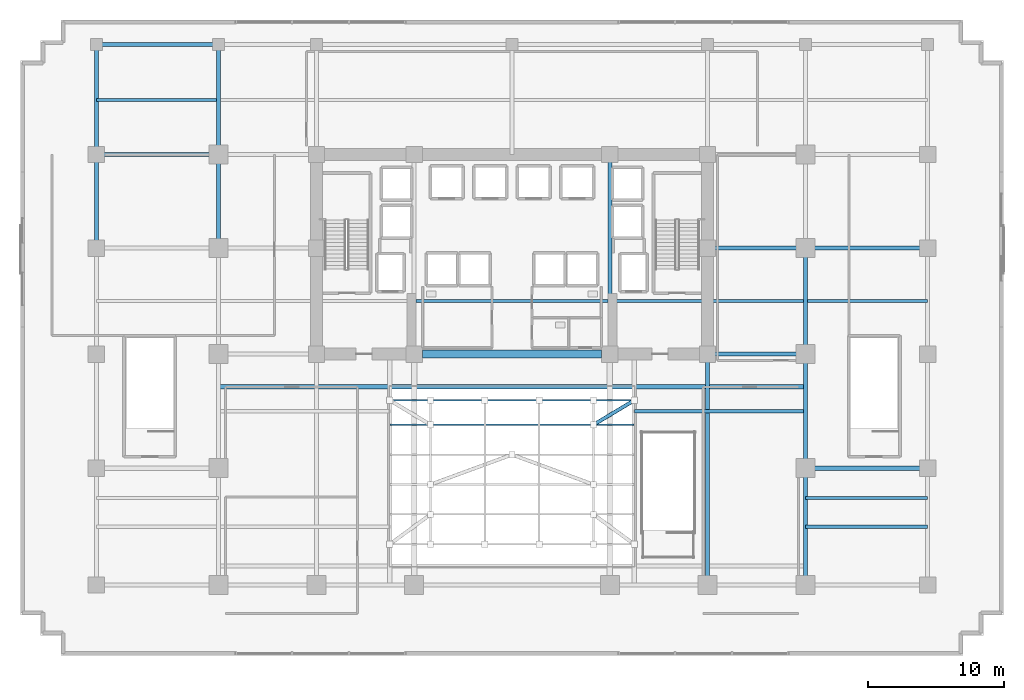
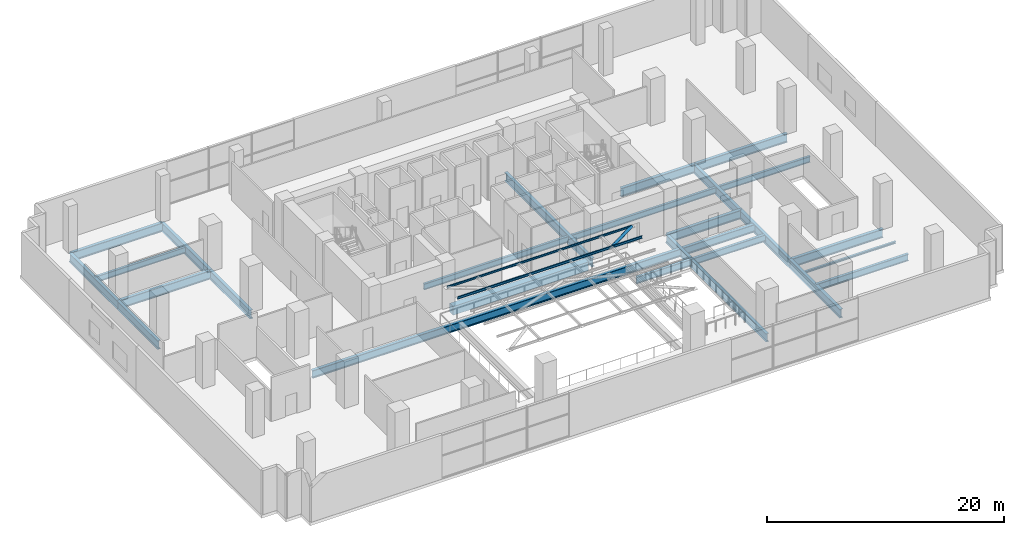
# One storey, part 8 of 22: 24 beams, 3 members.
"""IFC4 building model written with IfcOpenShell, lengths in metres."""

from ifc_helpers import new_model, si_unit, direction, frame, origin, origin_2d, place, context, subcontext, project, spatial, rectangle, hollow_circle, i_section, extrude, source, transform, mapped, material, material_profile, profile_set, type_object, element, save


model = new_model("IFC4")

# Units and contexts
model_context = context("Model", 3, precision=1e-05, world=origin(), true_north=direction((0.0, 1.0)))
body_context = subcontext(model_context, "Body", "Model", "MODEL_VIEW")
ifc_project = project(units=[si_unit("LENGTHUNIT", "METRE"), si_unit("AREAUNIT", "SQUARE_METRE"), si_unit("VOLUMEUNIT", "CUBIC_METRE"), si_unit("PLANEANGLEUNIT", "RADIAN"), si_unit("MASSUNIT", "GRAM", prefix="KILO")], contexts=[model_context])

# Site, building, storey
site_placement = place(None, origin())
site = spatial("IfcSite", under=ifc_project, at=site_placement, CompositionType="ELEMENT")
building_placement = place(site_placement, origin())
building = spatial("IfcBuilding", under=site, at=building_placement, Name="Zarnakvel Exchange Tower", CompositionType="ELEMENT")
storey_placement = place(building_placement, frame((0.0, 0.0, 22.60009765625)))
storey = spatial("IfcBuildingStorey", under=building, at=storey_placement, Name="L05", CompositionType="ELEMENT", Elevation=22.60009765625)

# Beams
ifc_material_1 = material(Name="Steel S355", Category="steel")
ifc_material_profile_1 = material_profile(ifc_material_1, i_section(OverallWidth=0.255859375, OverallDepth=0.69287109375, WebThickness=0.014404296875, FlangeThickness=0.023681640625, FilletRadius=0.01513671875, at=origin_2d()))
ifc_profile_set_1 = profile_set([ifc_material_profile_1], Name="Steel S355")
beam_type_1 = type_object("IfcBeamType", Name="B-01", PredefinedType="JOIST", material=ifc_profile_set_1)
beam_1_placement = place(storey_placement, frame((21.60009765625, -13.89990234375, -0.646484375), z_axis=(1.0, 0.0, 0.0), x_axis=(0.0, 1.0, 0.0)))
element("IfcBeam", 1, at=beam_1_placement, inside=storey, type_object=beam_type_1, Name="L05 Podium Wing Secondary Joist East", PredefinedType="JOIST", context=body_context, shape_type="SweptSolid", body=[
    extrude(i_section(OverallWidth=0.255859375, OverallDepth=0.69287109375, WebThickness=0.014404296875, FlangeThickness=0.023681640625, FilletRadius=0.01513671875, at=origin_2d()), origin(), (0.0, 0.0, 1.0), 9.0),
])
beam_2_placement = place(storey_placement, frame((9.0, -5.39990234375, -0.646484375), z_axis=(1.0, 0.0, 0.0), x_axis=(0.0, 1.0, 0.0)))
element("IfcBeam", 2, at=beam_2_placement, inside=storey, type_object=beam_type_1, Name="L05 Exchange Hall Atrium Trimmer East", PredefinedType="JOIST", context=body_context, shape_type="SweptSolid", body=[
    extrude(i_section(OverallWidth=0.255859375, OverallDepth=0.69287109375, WebThickness=0.014404296875, FlangeThickness=0.023681640625, FilletRadius=0.01513671875, at=origin_2d()), origin(), (0.0, 0.0, 1.0), 12.60009765625),
])
ifc_material_profile_2 = material_profile(ifc_material_1, i_section(OverallWidth=0.230224609375, OverallDepth=0.6171875, WebThickness=0.01318359375, FlangeThickness=0.022216796875, FilletRadius=0.0126953125, at=origin_2d()))
ifc_profile_set_2 = profile_set([ifc_material_profile_2], Name="Steel S355")
beam_type_2 = type_object("IfcBeamType", Name="B-02", PredefinedType="JOIST", material=ifc_profile_set_2)
beam_3_placement = place(storey_placement, frame((-7.050048828125, 2.699951171875, -0.608642578125), z_axis=(1.0, 0.0, 0.0), x_axis=(0.0, 1.0, 0.0)))
element("IfcBeam", 3, at=beam_3_placement, inside=storey, type_object=beam_type_2, Name="L05 Secondary Floor Joist", PredefinedType="JOIST", context=body_context, shape_type="SweptSolid", body=[
    extrude(i_section(OverallWidth=0.230224609375, OverallDepth=0.6171875, WebThickness=0.01318359375, FlangeThickness=0.022216796875, FilletRadius=0.0126953125, at=origin_2d()), origin(), (0.0, 0.0, 1.0), 14.10009765625),
])
beam_4_placement = place(storey_placement, frame((7.35009765625, 2.699951171875, -0.608642578125), z_axis=(1.0, 0.0, 0.0), x_axis=(0.0, 1.0, 0.0)))
element("IfcBeam", 4, at=beam_4_placement, inside=storey, type_object=beam_type_2, Name="L05 Secondary Floor Joist", PredefinedType="JOIST", context=body_context, shape_type="SweptSolid", body=[
    extrude(i_section(OverallWidth=0.230224609375, OverallDepth=0.6171875, WebThickness=0.01318359375, FlangeThickness=0.022216796875, FilletRadius=0.0126953125, at=origin_2d()), origin(), (0.0, 0.0, 1.0), 14.099853515625),
])
for number, where, z_axis, x_axis, name in (
    (5, (21.75, 2.699951171875, -0.608642578125), (1.0, 0.0, 0.0), (0.0, 1.0, 0.0), "L05 Secondary Floor Joist"),
    (6, (-30.60009765625, 17.5, -0.608642578125), (1.0, 0.0, 0.0), (0.0, 1.0, 0.0), "L05 North Bay Secondary Floor Joist"),
):
    element("IfcBeam", number, at=place(storey_placement, frame(where, z_axis=z_axis, x_axis=x_axis)), inside=storey, type_object=beam_type_2, Name=name, PredefinedType="JOIST", context=body_context, shape_type="SweptSolid", body=[
        extrude(i_section(OverallWidth=0.230224609375, OverallDepth=0.6171875, WebThickness=0.01318359375, FlangeThickness=0.022216796875, FilletRadius=0.0126953125, at=origin_2d()), origin(), (0.0, 0.0, 1.0), 8.85009765625),
    ])
ifc_material_2 = material(Name="Concrete C80/95", Category="concrete")
ifc_material_profile_3 = material_profile(ifc_material_2, rectangle(XDim=0.60009765625, YDim=0.89990234375, at=origin_2d()))
ifc_profile_set_3 = profile_set([ifc_material_profile_3], Name="Concrete C80/95")
beam_type_3 = type_object("IfcBeamType", Name="CB-01", PredefinedType="LINTEL", material=ifc_profile_set_3)
beam_5_placement = place(storey_placement, frame((-6.60009765625, -1.199951171875, -0.75), z_axis=(1.0, 0.0, 0.0), x_axis=(0.0, 1.0, 0.0)))
element("IfcBeam", 7, at=beam_5_placement, inside=storey, type_object=beam_type_3, Name="L05 Rear Core South Coupling Beam (CB-01)", PredefinedType="LINTEL", context=body_context, shape_type="SweptSolid", body=[
    extrude(rectangle(XDim=0.60009765625, YDim=0.89990234375, at=origin_2d()), origin(), (0.0, 0.0, 1.0), 13.2001953125),
])
ifc_material_profile_4 = material_profile(ifc_material_1, i_section(OverallWidth=0.300048828125, OverallDepth=0.89990234375, WebThickness=0.0185546875, FlangeThickness=0.034912109375, FilletRadius=0.030029296875, at=origin_2d()))
ifc_profile_set_4 = profile_set([ifc_material_profile_4], Name="Steel S355")
beam_type_4 = type_object("IfcBeamType", Name="G-01", PredefinedType="BEAM", material=ifc_profile_set_4)
beam_6_placement = place(storey_placement, frame((21.60009765625, -9.60009765625, -0.75), z_axis=(1.0, 0.0, 0.0), x_axis=(0.0, 1.0, 0.0)))
element("IfcBeam", 8, at=beam_6_placement, inside=storey, type_object=beam_type_4, Name="L05 Primary E-W Girder Y=-9.6", PredefinedType="BEAM", context=body_context, shape_type="SweptSolid", body=[
    extrude(i_section(OverallWidth=0.300048828125, OverallDepth=0.89990234375, WebThickness=0.0185546875, FlangeThickness=0.034912109375, FilletRadius=0.030029296875, at=origin_2d()), origin(), (0.0, 0.0, 1.0), 9.0),
])
for number, where, z_axis, x_axis, name in (
    (9, (14.39990234375, -1.199951171875, -0.75), (1.0, 0.0, 0.0), (0.0, 1.0, 0.0), "L05 Primary E-W Girder Y=-1.2"),
    (10, (14.39990234375, 6.60009765625, -0.75), (1.0, 0.0, 0.0), (0.0, 1.0, 0.0), "L05 Primary E-W Girder Y=+6.6"),
):
    element("IfcBeam", number, at=place(storey_placement, frame(where, z_axis=z_axis, x_axis=x_axis)), inside=storey, type_object=beam_type_4, Name=name, PredefinedType="BEAM", context=body_context, shape_type="SweptSolid", body=[
        extrude(i_section(OverallWidth=0.300048828125, OverallDepth=0.89990234375, WebThickness=0.0185546875, FlangeThickness=0.034912109375, FilletRadius=0.030029296875, at=origin_2d()), origin(), (0.0, 0.0, 1.0), 7.2001953125),
    ])
for number, where, z_axis, x_axis, name in (
    (11, (21.60009765625, 6.60009765625, -0.75), (1.0, 0.0, 0.0), (0.0, 1.0, 0.0), "L05 Primary E-W Girder Y=+6.6"),
    (12, (-30.60009765625, 13.5, -0.75), (1.0, 0.0, 0.0), (0.0, 1.0, 0.0), "L05 Primary E-W Girder Y=+13.5"),
    (13, (-30.60009765625, 21.60009765625, -0.75), (1.0, 0.0, 0.0), (0.0, 1.0, 0.0), "L05 Primary E-W Girder Y=+21.6"),
):
    element("IfcBeam", number, at=place(storey_placement, frame(where, z_axis=z_axis, x_axis=x_axis)), inside=storey, type_object=beam_type_4, Name=name, PredefinedType="BEAM", context=body_context, shape_type="SweptSolid", body=[
        extrude(i_section(OverallWidth=0.300048828125, OverallDepth=0.89990234375, WebThickness=0.0185546875, FlangeThickness=0.034912109375, FilletRadius=0.030029296875, at=origin_2d()), origin(), (0.0, 0.0, 1.0), 9.0),
    ])
beam_7_placement = place(storey_placement, frame((-30.60009765625, 6.60009765625, -0.75), z_axis=(0.0, 1.0, 0.0), x_axis=(-1.0, 0.0, 0.0)))
element("IfcBeam", 14, at=beam_7_placement, inside=storey, type_object=beam_type_4, Name="L05 Primary N-S Girder X=-30.6", PredefinedType="BEAM", context=body_context, shape_type="SweptSolid", body=[
    extrude(i_section(OverallWidth=0.300048828125, OverallDepth=0.89990234375, WebThickness=0.0185546875, FlangeThickness=0.034912109375, FilletRadius=0.030029296875, at=origin_2d()), origin(), (0.0, 0.0, 1.0), 6.89990234375),
])
beam_8_placement = place(storey_placement, frame((-30.60009765625, 13.5, -0.75), z_axis=(0.0, 1.0, 0.0), x_axis=(-1.0, 0.0, 0.0)))
element("IfcBeam", 15, at=beam_8_placement, inside=storey, type_object=beam_type_4, Name="L05 Primary N-S Girder X=-30.6", PredefinedType="BEAM", context=body_context, shape_type="SweptSolid", body=[
    extrude(i_section(OverallWidth=0.300048828125, OverallDepth=0.89990234375, WebThickness=0.0185546875, FlangeThickness=0.034912109375, FilletRadius=0.030029296875, at=origin_2d()), origin(), (0.0, 0.0, 1.0), 8.10009765625),
])
beam_9_placement = place(storey_placement, frame((-21.60009765625, 6.60009765625, -0.75), z_axis=(0.0, 1.0, 0.0), x_axis=(-1.0, 0.0, 0.0)))
element("IfcBeam", 16, at=beam_9_placement, inside=storey, type_object=beam_type_4, Name="L05 Primary N-S Girder X=-21.6", PredefinedType="BEAM", context=body_context, shape_type="SweptSolid", body=[
    extrude(i_section(OverallWidth=0.300048828125, OverallDepth=0.89990234375, WebThickness=0.0185546875, FlangeThickness=0.034912109375, FilletRadius=0.030029296875, at=origin_2d()), origin(), (0.0, 0.0, 1.0), 6.89990234375),
])
beam_10_placement = place(storey_placement, frame((-21.60009765625, 13.5, -0.75), z_axis=(0.0, 1.0, 0.0), x_axis=(-1.0, 0.0, 0.0)))
element("IfcBeam", 17, at=beam_10_placement, inside=storey, type_object=beam_type_4, Name="L05 Primary N-S Girder X=-21.6", PredefinedType="BEAM", context=body_context, shape_type="SweptSolid", body=[
    extrude(i_section(OverallWidth=0.300048828125, OverallDepth=0.89990234375, WebThickness=0.0185546875, FlangeThickness=0.034912109375, FilletRadius=0.030029296875, at=origin_2d()), origin(), (0.0, 0.0, 1.0), 8.10009765625),
])
beam_11_placement = place(storey_placement, frame((7.199951171875, -1.199951171875, -0.75), z_axis=(0.0, 1.0, 0.0), x_axis=(-1.0, 0.0, 0.0)))
element("IfcBeam", 18, at=beam_11_placement, inside=storey, type_object=beam_type_4, Name="L05 Primary N-S Girder X=+7.2", PredefinedType="BEAM", context=body_context, shape_type="SweptSolid", body=[
    extrude(i_section(OverallWidth=0.300048828125, OverallDepth=0.89990234375, WebThickness=0.0185546875, FlangeThickness=0.034912109375, FilletRadius=0.030029296875, at=origin_2d()), origin(), (0.0, 0.0, 1.0), 14.699951171875),
])
beam_12_placement = place(storey_placement, frame((21.60009765625, -18.199951171875, -0.75), z_axis=(0.0, 1.0, 0.0), x_axis=(-1.0, 0.0, 0.0)))
element("IfcBeam", 19, at=beam_12_placement, inside=storey, type_object=beam_type_4, Name="L05 Primary N-S Girder X=+21.6", PredefinedType="BEAM", context=body_context, shape_type="SweptSolid", body=[
    extrude(i_section(OverallWidth=0.300048828125, OverallDepth=0.89990234375, WebThickness=0.0185546875, FlangeThickness=0.034912109375, FilletRadius=0.030029296875, at=origin_2d()), origin(), (0.0, 0.0, 1.0), 8.599853515625),
])
beam_13_placement = place(storey_placement, frame((21.60009765625, -9.60009765625, -0.75), z_axis=(0.0, 1.0, 0.0), x_axis=(-1.0, 0.0, 0.0)))
element("IfcBeam", 20, at=beam_13_placement, inside=storey, type_object=beam_type_4, Name="L05 Primary N-S Girder X=+21.6", PredefinedType="BEAM", context=body_context, shape_type="SweptSolid", body=[
    extrude(i_section(OverallWidth=0.300048828125, OverallDepth=0.89990234375, WebThickness=0.0185546875, FlangeThickness=0.034912109375, FilletRadius=0.030029296875, at=origin_2d()), origin(), (0.0, 0.0, 1.0), 8.400146484375),
])
beam_14_placement = place(storey_placement, frame((21.60009765625, -1.199951171875, -0.75), z_axis=(0.0, 1.0, 0.0), x_axis=(-1.0, 0.0, 0.0)))
element("IfcBeam", 21, at=beam_14_placement, inside=storey, type_object=beam_type_4, Name="L05 Primary N-S Girder X=+21.6", PredefinedType="BEAM", context=body_context, shape_type="SweptSolid", body=[
    extrude(i_section(OverallWidth=0.300048828125, OverallDepth=0.89990234375, WebThickness=0.0185546875, FlangeThickness=0.034912109375, FilletRadius=0.030029296875, at=origin_2d()), origin(), (0.0, 0.0, 1.0), 7.800048828125),
])
ifc_material_profile_5 = material_profile(ifc_material_1, i_section(OverallWidth=0.300048828125, OverallDepth=0.800048828125, WebThickness=0.017578125, FlangeThickness=0.032958984375, FilletRadius=0.030029296875, at=origin_2d()))
ifc_profile_set_5 = profile_set([ifc_material_profile_5], Name="Steel S355")
beam_type_5 = type_object("IfcBeamType", Name="G-02", PredefinedType="BEAM", material=ifc_profile_set_5)
beam_15_placement = place(storey_placement, frame((-21.60009765625, -3.60009765625, -0.7001953125), z_axis=(1.0, 0.0, 0.0), x_axis=(0.0, 1.0, 0.0)))
element("IfcBeam", 22, at=beam_15_placement, inside=storey, type_object=beam_type_5, Name="L05 Atrium North Edge Trimmer Girder", PredefinedType="BEAM", context=body_context, shape_type="SweptSolid", body=[
    extrude(i_section(OverallWidth=0.300048828125, OverallDepth=0.800048828125, WebThickness=0.017578125, FlangeThickness=0.032958984375, FilletRadius=0.030029296875, at=origin_2d()), origin(), (0.0, 0.0, 1.0), 43.2001953125),
])
ifc_material_profile_6 = material_profile(ifc_material_1, i_section(OverallWidth=0.199951171875, OverallDepth=0.199951171875, WebThickness=0.009033203125, FlangeThickness=0.014892578125, FilletRadius=0.01806640625, at=origin_2d()))
ifc_profile_set_6 = profile_set([ifc_material_profile_6], Name="Steel S355")
beam_type_6 = type_object("IfcBeamType", Name="LN-02", PredefinedType="LINTEL", material=ifc_profile_set_6)
beam_16_placement = place(storey_placement, frame((21.60009765625, -11.800048828125, -0.400146484375), z_axis=(1.0, 0.0, 0.0), x_axis=(0.0, 1.0, 0.0)))
element("IfcBeam", 23, at=beam_16_placement, inside=storey, type_object=beam_type_6, Name="L05 Concourse Gallery Opening Lintel East", PredefinedType="LINTEL", context=body_context, shape_type="SweptSolid", body=[
    extrude(i_section(OverallWidth=0.199951171875, OverallDepth=0.199951171875, WebThickness=0.009033203125, FlangeThickness=0.014892578125, FilletRadius=0.01806640625, at=origin_2d()), origin(), (0.0, 0.0, 1.0), 9.0),
])
ifc_material_profile_7 = material_profile(ifc_material_1, i_section(OverallWidth=0.293701171875, OverallDepth=0.850830078125, WebThickness=0.01611328125, FlangeThickness=0.02685546875, FilletRadius=0.017822265625, at=origin_2d()))
ifc_profile_set_7 = profile_set([ifc_material_profile_7], Name="Steel S355")
beam_type_7 = type_object("IfcBeamType", Name="TB-02", PredefinedType="T_BEAM", material=ifc_profile_set_7)
beam_17_placement = place(storey_placement, frame((14.39990234375, -18.199951171875, -0.7255859375), z_axis=(0.0, 1.0, 0.0), x_axis=(-1.0, 0.0, 0.0)))
element("IfcBeam", 24, at=beam_17_placement, inside=storey, type_object=beam_type_7, Name="L05 Primary N-S Girder X=+14.4", PredefinedType="T_BEAM", context=body_context, shape_type="SweptSolid", body=[
    extrude(i_section(OverallWidth=0.293701171875, OverallDepth=0.850830078125, WebThickness=0.01611328125, FlangeThickness=0.02685546875, FilletRadius=0.017822265625, at=origin_2d()), origin(), (0.0, 0.0, 1.0), 17.0),
])

# Members
ifc_material_profile_8 = material_profile(ifc_material_1, i_section(OverallWidth=0.1201171875, OverallDepth=0.239990234375, WebThickness=0.006103515625, FlangeThickness=0.009765625, FilletRadius=0.014892578125, at=origin_2d()))
ifc_profile_set_8 = profile_set([ifc_material_profile_8], Name="Steel S355")
member_type_1 = type_object("IfcMemberType", Name="PR-01", PredefinedType="PURLIN", material=ifc_profile_set_8)
shared_shape_1 = source(origin(), body_context, "Body", "SweptSolid", [
    extrude(i_section(OverallWidth=0.1201171875, OverallDepth=0.239990234375, WebThickness=0.006103515625, FlangeThickness=0.009765625, FilletRadius=0.014892578125, at=origin_2d()), origin(), (0.0, 0.0, 1.0), 18.0),
])
member_1_placement = place(storey_placement, frame((-9.0, -6.39990234375, 4.409912109375), z_axis=(1.0, 0.0, 0.0), x_axis=(0.0, 1.0, 0.0)))
element("IfcMember", 25, at=member_1_placement, inside=storey, type_object=member_type_1, Name="L05 Atrium Skylight Purlin PR-01 #5", PredefinedType="PURLIN", context=body_context, shape_type="MappedRepresentation", body=[
    mapped(shared_shape_1, transform((0.0, 0.0, 0.0), x_axis=(1.0, 0.0, 0.0), y_axis=(0.0, 1.0, 0.0), z_axis=(0.0, 0.0, 1.0), scale=1.0)),
])
ifc_material_profile_9 = material_profile(ifc_material_1, i_section(OverallWidth=0.10009765625, OverallDepth=0.199951171875, WebThickness=0.005615234375, FlangeThickness=0.008544921875, FilletRadius=0.011962890625, at=origin_2d()))
ifc_profile_set_9 = profile_set([ifc_material_profile_9], Name="Steel S355")
member_type_2 = type_object("IfcMemberType", Name="PR-02", PredefinedType="PURLIN", material=ifc_profile_set_9)
shared_shape_2 = source(origin(), body_context, "Body", "SweptSolid", [
    extrude(i_section(OverallWidth=0.10009765625, OverallDepth=0.199951171875, WebThickness=0.005615234375, FlangeThickness=0.008544921875, FilletRadius=0.011962890625, at=origin_2d()), origin(), (0.0, 0.0, 1.0), 18.0),
])
member_2_placement = place(storey_placement, frame((-9.0, -4.60009765625, 4.429931640625), z_axis=(1.0, 0.0, 0.0), x_axis=(0.0, 1.0, 0.0)))
element("IfcMember", 26, at=member_2_placement, inside=storey, type_object=member_type_2, Name="L05 Atrium Skylight Purlin PR-02 #6", PredefinedType="PURLIN", context=body_context, shape_type="MappedRepresentation", body=[
    mapped(shared_shape_2, transform((0.0, 0.0, 0.0), x_axis=(1.0, 0.0, 0.0), y_axis=(0.0, 1.0, 0.0), z_axis=(0.0, 0.0, 1.0), scale=1.0)),
])
ifc_material_profile_10 = material_profile(ifc_material_1, hollow_circle(Radius=0.136474609375, WallThickness=0.012451171875, at=origin_2d()))
ifc_profile_set_10 = profile_set([ifc_material_profile_10], Name="Steel S355")
member_type_3 = type_object("IfcMemberType", Name="PR-04", PredefinedType="BRACE", material=ifc_profile_set_10)
shared_shape_3 = source(origin(), body_context, "Body", "SweptSolid", [
    extrude(hollow_circle(Radius=0.136474609375, WallThickness=0.012451171875, at=origin_2d()), origin(), (0.0, 0.0, 1.0), 3.49853515625),
])
member_3_placement = place(storey_placement, frame((9.0, -4.60009765625, 4.389892578125), z_axis=(-0.857517554715, -0.514454704863, 0.0), x_axis=(0.514454704863, -0.857517554715, 0.0)))
element("IfcMember", 27, at=member_3_placement, inside=storey, type_object=member_type_3, Name="L05 Atrium Canopy Wind Brace #4", PredefinedType="BRACE", context=body_context, shape_type="MappedRepresentation", body=[
    mapped(shared_shape_3, transform((0.0, 0.0, 0.0), x_axis=(1.0, 0.0, 0.0), y_axis=(0.0, 1.0, 0.0), z_axis=(0.0, 0.0, 1.0), scale=1.0)),
])

save(model, "model.ifc")
